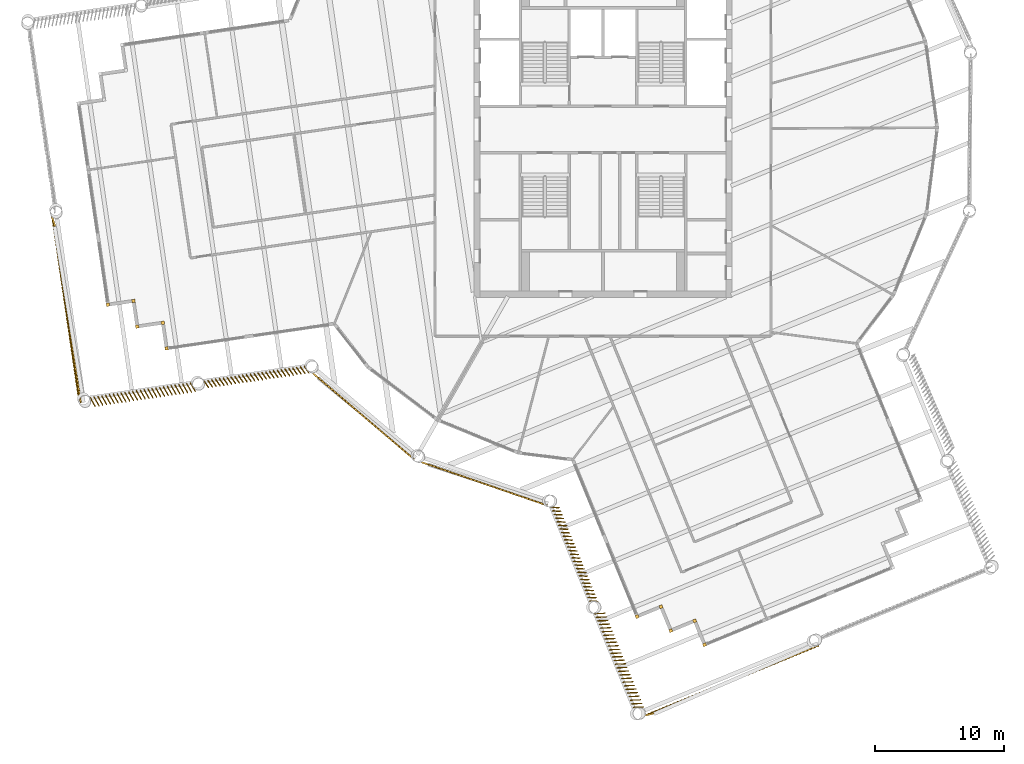
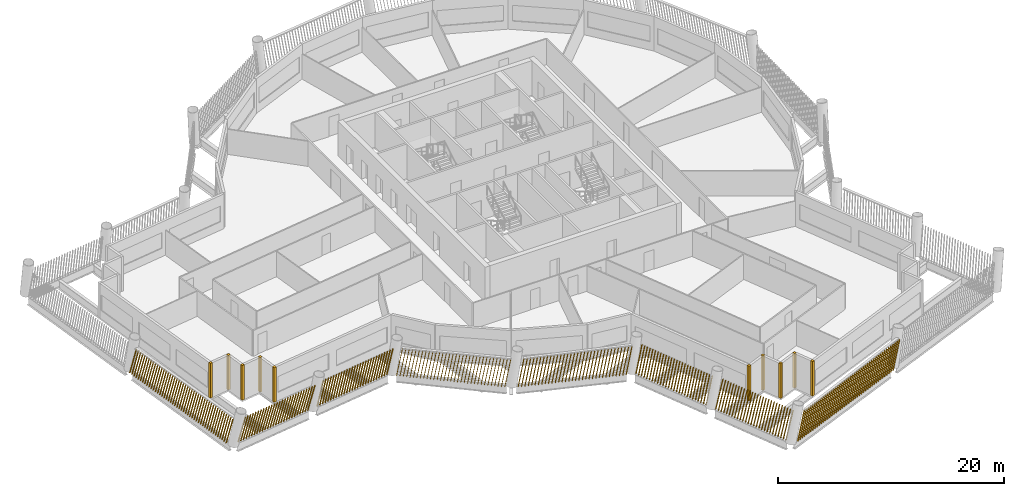
# One storey, part 11 of 15: 18 shading devices.
"""IFC4 building model written with IfcOpenShell, lengths in metres."""

from ifc_helpers import new_model, si_unit, direction, frame, frame_2d, origin, origin_2d, place, context, subcontext, project, spatial, rectangle, composite_profile, extrude, material, type_object, element, save


model = new_model("IFC4")

# Units and contexts
model_context = context("Model", 3, precision=1e-05, world=origin(), true_north=direction((0.0, 1.0)))
body_context = subcontext(model_context, "Body", "Model", "MODEL_VIEW")
ifc_project = project(units=[si_unit("LENGTHUNIT", "METRE"), si_unit("AREAUNIT", "SQUARE_METRE"), si_unit("VOLUMEUNIT", "CUBIC_METRE"), si_unit("PLANEANGLEUNIT", "RADIAN"), si_unit("MASSUNIT", "GRAM", prefix="KILO")], contexts=[model_context])

# Site, building, storey
site_placement = place(None, origin())
site = spatial("IfcSite", under=ifc_project, at=site_placement, CompositionType="ELEMENT")
building_placement = place(site_placement, origin())
building = spatial("IfcBuilding", under=site, at=building_placement, Name="Tarsis Ring Headquarters", CompositionType="ELEMENT")
storey_placement = place(building_placement, frame((0.0, 0.0, 319.699951171875)))
storey = spatial("IfcBuildingStorey", under=building, at=storey_placement, Name="L75", CompositionType="ELEMENT", Elevation=319.699951171875)

# Shading devices
ifc_material = material(Name="Terracotta baguette", Category="masonry")
shading_device_type_1 = type_object("IfcShadingDeviceType", Name="Terracotta baguette screen", PredefinedType="USERDEFINED", material=ifc_material)
shading_device_1_placement = place(storey_placement, frame((-14.03271484375, -25.7548828125, 0.0), z_axis=(0.0, 0.0, 1.0), x_axis=(0.945557665401, -0.325479712173, 0.0)))
element("IfcShadingDevice", 1, at=shading_device_1_placement, inside=storey, type_object=shading_device_type_1, Name="Baguette screen L75-00", ObjectType="Terracotta baguette screen", PredefinedType="USERDEFINED", context=body_context, shape_type="SweptSolid", body=[
    extrude(composite_profile([rectangle(XDim=0.06005859375, YDim=0.1201171875, at=frame_2d((0.030029296875, 0.0))), rectangle(XDim=0.06005859375, YDim=0.1201171875, at=frame_2d((0.33349609375, 0.0))), rectangle(XDim=0.06005859375, YDim=0.1201171875, at=frame_2d((0.636962890625, 0.0))), rectangle(XDim=0.06005859375, YDim=0.1201171875, at=frame_2d((0.9404296875, 0.0))), rectangle(XDim=0.06005859375, YDim=0.1201171875, at=frame_2d((1.243896484375, 0.0))), rectangle(XDim=0.06005859375, YDim=0.1201171875, at=frame_2d((1.54736328125, 0.0))), rectangle(XDim=0.06005859375, YDim=0.1201171875, at=frame_2d((1.850830078125, 0.0))), rectangle(XDim=0.06005859375, YDim=0.1201171875, at=frame_2d((2.154296875, 0.0))), rectangle(XDim=0.06005859375, YDim=0.1201171875, at=frame_2d((2.4580078125, 0.0))), rectangle(XDim=0.06005859375, YDim=0.1201171875, at=frame_2d((2.761474609375, 0.0))), rectangle(XDim=0.06005859375, YDim=0.1201171875, at=frame_2d((3.06494140625, 0.0))), rectangle(XDim=0.06005859375, YDim=0.1201171875, at=frame_2d((3.368408203125, 0.0))), rectangle(XDim=0.06005859375, YDim=0.1201171875, at=frame_2d((3.671875, 0.0))), rectangle(XDim=0.06005859375, YDim=0.1201171875, at=frame_2d((3.975341796875, 0.0))), rectangle(XDim=0.06005859375, YDim=0.1201171875, at=frame_2d((4.27880859375, 0.0))), rectangle(XDim=0.06005859375, YDim=0.1201171875, at=frame_2d((4.582275390625, 0.0))), rectangle(XDim=0.06005859375, YDim=0.1201171875, at=frame_2d((4.8857421875, 0.0))), rectangle(XDim=0.06005859375, YDim=0.1201171875, at=frame_2d((5.189208984375, 0.0))), rectangle(XDim=0.06005859375, YDim=0.1201171875, at=frame_2d((5.49267578125, 0.0))), rectangle(XDim=0.06005859375, YDim=0.1201171875, at=frame_2d((5.796142578125, 0.0))), rectangle(XDim=0.06005859375, YDim=0.1201171875, at=frame_2d((6.099609375, 0.0))), rectangle(XDim=0.06005859375, YDim=0.1201171875, at=frame_2d((6.403076171875, 0.0))), rectangle(XDim=0.06005859375, YDim=0.1201171875, at=frame_2d((6.70654296875, 0.0))), rectangle(XDim=0.06005859375, YDim=0.1201171875, at=frame_2d((7.010009765625, 0.0))), rectangle(XDim=0.06005859375, YDim=0.1201171875, at=frame_2d((7.3134765625, 0.0))), rectangle(XDim=0.06005859375, YDim=0.1201171875, at=frame_2d((7.6171875, 0.0))), rectangle(XDim=0.06005859375, YDim=0.1201171875, at=frame_2d((7.920654296875, 0.0))), rectangle(XDim=0.06005859375, YDim=0.1201171875, at=frame_2d((8.22412109375, 0.0))), rectangle(XDim=0.06005859375, YDim=0.1201171875, at=frame_2d((8.527587890625, 0.0))), rectangle(XDim=0.06005859375, YDim=0.1201171875, at=frame_2d((8.8310546875, 0.0))), rectangle(XDim=0.06005859375, YDim=0.1201171875, at=frame_2d((9.134521484375, 0.0))), rectangle(XDim=0.06005859375, YDim=0.1201171875, at=frame_2d((9.43798828125, 0.0))), rectangle(XDim=0.06005859375, YDim=0.1201171875, at=frame_2d((9.741455078125, 0.0)))]), origin(), (0.174167074082, 0.001578874657, 0.984714850838), 3.013916015625),
])
shading_device_2_placement = place(storey_placement, frame((-4.008544921875, -29.2060546875, 0.0), z_axis=(0.0, 0.0, 1.0), x_axis=(0.379788680178, -0.925080326248, 0.0)))
element("IfcShadingDevice", 2, at=shading_device_2_placement, inside=storey, type_object=shading_device_type_1, Name="Baguette screen L75-01", ObjectType="Terracotta baguette screen", PredefinedType="USERDEFINED", context=body_context, shape_type="SweptSolid", body=[
    extrude(composite_profile([rectangle(XDim=0.06005859375, YDim=0.1201171875, at=frame_2d((0.030029296875, 0.0))), rectangle(XDim=0.06005859375, YDim=0.1201171875, at=frame_2d((0.33154296875, 0.0))), rectangle(XDim=0.06005859375, YDim=0.1201171875, at=frame_2d((0.63330078125, 0.0))), rectangle(XDim=0.06005859375, YDim=0.1201171875, at=frame_2d((0.934814453125, 0.0))), rectangle(XDim=0.06005859375, YDim=0.1201171875, at=frame_2d((1.236572265625, 0.0))), rectangle(XDim=0.06005859375, YDim=0.1201171875, at=frame_2d((1.5380859375, 0.0))), rectangle(XDim=0.06005859375, YDim=0.1201171875, at=frame_2d((1.83984375, 0.0))), rectangle(XDim=0.06005859375, YDim=0.1201171875, at=frame_2d((2.141357421875, 0.0))), rectangle(XDim=0.06005859375, YDim=0.1201171875, at=frame_2d((2.443115234375, 0.0))), rectangle(XDim=0.06005859375, YDim=0.1201171875, at=frame_2d((2.74462890625, 0.0))), rectangle(XDim=0.06005859375, YDim=0.1201171875, at=frame_2d((3.04638671875, 0.0))), rectangle(XDim=0.06005859375, YDim=0.1201171875, at=frame_2d((3.347900390625, 0.0))), rectangle(XDim=0.06005859375, YDim=0.1201171875, at=frame_2d((3.649658203125, 0.0))), rectangle(XDim=0.06005859375, YDim=0.1201171875, at=frame_2d((3.951171875, 0.0))), rectangle(XDim=0.06005859375, YDim=0.1201171875, at=frame_2d((4.252685546875, 0.0))), rectangle(XDim=0.06005859375, YDim=0.1201171875, at=frame_2d((4.554443359375, 0.0))), rectangle(XDim=0.06005859375, YDim=0.1201171875, at=frame_2d((4.85595703125, 0.0))), rectangle(XDim=0.06005859375, YDim=0.1201171875, at=frame_2d((5.15771484375, 0.0))), rectangle(XDim=0.06005859375, YDim=0.1201171875, at=frame_2d((5.459228515625, 0.0))), rectangle(XDim=0.06005859375, YDim=0.1201171875, at=frame_2d((5.760986328125, 0.0))), rectangle(XDim=0.06005859375, YDim=0.1201171875, at=frame_2d((6.0625, 0.0))), rectangle(XDim=0.06005859375, YDim=0.1201171875, at=frame_2d((6.3642578125, 0.0))), rectangle(XDim=0.06005859375, YDim=0.1201171875, at=frame_2d((6.665771484375, 0.0))), rectangle(XDim=0.06005859375, YDim=0.1201171875, at=frame_2d((6.967529296875, 0.0))), rectangle(XDim=0.06005859375, YDim=0.1201171875, at=frame_2d((7.26904296875, 0.0))), rectangle(XDim=0.06005859375, YDim=0.1201171875, at=frame_2d((7.57080078125, 0.0))), rectangle(XDim=0.06005859375, YDim=0.1201171875, at=frame_2d((7.872314453125, 0.0)))]), origin(), (0.08712963653, 0.177346024773, 0.980284047578), 3.02734375),
])
shading_device_3_placement = place(storey_placement, frame((-0.627685546875, -37.44140625, 0.0), z_axis=(0.0, 0.0, 1.0), x_axis=(0.379800414002, -0.925078011555, 0.0)))
element("IfcShadingDevice", 3, at=shading_device_3_placement, inside=storey, type_object=shading_device_type_1, Name="Baguette screen L75-02", ObjectType="Terracotta baguette screen", PredefinedType="USERDEFINED", context=body_context, shape_type="SweptSolid", body=[
    extrude(composite_profile([rectangle(XDim=0.06005859375, YDim=0.1201171875, at=frame_2d((0.030029296875, 0.0))), rectangle(XDim=0.06005859375, YDim=0.1201171875, at=frame_2d((0.33154296875, 0.0))), rectangle(XDim=0.06005859375, YDim=0.1201171875, at=frame_2d((0.63330078125, 0.0))), rectangle(XDim=0.06005859375, YDim=0.1201171875, at=frame_2d((0.934814453125, 0.0))), rectangle(XDim=0.06005859375, YDim=0.1201171875, at=frame_2d((1.236572265625, 0.0))), rectangle(XDim=0.06005859375, YDim=0.1201171875, at=frame_2d((1.5380859375, 0.0))), rectangle(XDim=0.06005859375, YDim=0.1201171875, at=frame_2d((1.83984375, 0.0))), rectangle(XDim=0.06005859375, YDim=0.1201171875, at=frame_2d((2.141357421875, 0.0))), rectangle(XDim=0.06005859375, YDim=0.1201171875, at=frame_2d((2.443115234375, 0.0))), rectangle(XDim=0.06005859375, YDim=0.1201171875, at=frame_2d((2.74462890625, 0.0))), rectangle(XDim=0.06005859375, YDim=0.1201171875, at=frame_2d((3.04638671875, 0.0))), rectangle(XDim=0.06005859375, YDim=0.1201171875, at=frame_2d((3.347900390625, 0.0))), rectangle(XDim=0.06005859375, YDim=0.1201171875, at=frame_2d((3.649658203125, 0.0))), rectangle(XDim=0.06005859375, YDim=0.1201171875, at=frame_2d((3.951171875, 0.0))), rectangle(XDim=0.06005859375, YDim=0.1201171875, at=frame_2d((4.252685546875, 0.0))), rectangle(XDim=0.06005859375, YDim=0.1201171875, at=frame_2d((4.554443359375, 0.0))), rectangle(XDim=0.06005859375, YDim=0.1201171875, at=frame_2d((4.85595703125, 0.0))), rectangle(XDim=0.06005859375, YDim=0.1201171875, at=frame_2d((5.15771484375, 0.0))), rectangle(XDim=0.06005859375, YDim=0.1201171875, at=frame_2d((5.459228515625, 0.0))), rectangle(XDim=0.06005859375, YDim=0.1201171875, at=frame_2d((5.760986328125, 0.0))), rectangle(XDim=0.06005859375, YDim=0.1201171875, at=frame_2d((6.0625, 0.0))), rectangle(XDim=0.06005859375, YDim=0.1201171875, at=frame_2d((6.3642578125, 0.0))), rectangle(XDim=0.06005859375, YDim=0.1201171875, at=frame_2d((6.665771484375, 0.0))), rectangle(XDim=0.06005859375, YDim=0.1201171875, at=frame_2d((6.967529296875, 0.0))), rectangle(XDim=0.06005859375, YDim=0.1201171875, at=frame_2d((7.26904296875, 0.0))), rectangle(XDim=0.06005859375, YDim=0.1201171875, at=frame_2d((7.57080078125, 0.0))), rectangle(XDim=0.06005859375, YDim=0.1201171875, at=frame_2d((7.872314453125, 0.0)))]), origin(), (0.085723437575, 0.228254656912, 0.96982024306), 3.06005859375),
])
shading_device_4_placement = place(storey_placement, frame((3.16845703125, -45.37109375, 0.0), z_axis=(0.0, 0.0, 1.0), x_axis=(0.92507607388, 0.379785577808, 0.0)))
element("IfcShadingDevice", 4, at=shading_device_4_placement, inside=storey, type_object=shading_device_type_1, Name="Baguette screen L75-03", ObjectType="Terracotta baguette screen", PredefinedType="USERDEFINED", context=body_context, shape_type="SweptSolid", body=[
    extrude(composite_profile([rectangle(XDim=0.06005859375, YDim=0.1201171875, at=frame_2d((0.030029296875, 0.0))), rectangle(XDim=0.06005859375, YDim=0.1201171875, at=frame_2d((0.33544921875, 0.0))), rectangle(XDim=0.06005859375, YDim=0.1201171875, at=frame_2d((0.640625, 0.0))), rectangle(XDim=0.06005859375, YDim=0.1201171875, at=frame_2d((0.946044921875, 0.0))), rectangle(XDim=0.06005859375, YDim=0.1201171875, at=frame_2d((1.25146484375, 0.0))), rectangle(XDim=0.06005859375, YDim=0.1201171875, at=frame_2d((1.556640625, 0.0))), rectangle(XDim=0.06005859375, YDim=0.1201171875, at=frame_2d((1.862060546875, 0.0))), rectangle(XDim=0.06005859375, YDim=0.1201171875, at=frame_2d((2.16748046875, 0.0))), rectangle(XDim=0.06005859375, YDim=0.1201171875, at=frame_2d((2.47265625, 0.0))), rectangle(XDim=0.06005859375, YDim=0.1201171875, at=frame_2d((2.778076171875, 0.0))), rectangle(XDim=0.06005859375, YDim=0.1201171875, at=frame_2d((3.08349609375, 0.0))), rectangle(XDim=0.06005859375, YDim=0.1201171875, at=frame_2d((3.388671875, 0.0))), rectangle(XDim=0.06005859375, YDim=0.1201171875, at=frame_2d((3.694091796875, 0.0))), rectangle(XDim=0.06005859375, YDim=0.1201171875, at=frame_2d((3.99951171875, 0.0))), rectangle(XDim=0.06005859375, YDim=0.1201171875, at=frame_2d((4.3046875, 0.0))), rectangle(XDim=0.06005859375, YDim=0.1201171875, at=frame_2d((4.610107421875, 0.0))), rectangle(XDim=0.06005859375, YDim=0.1201171875, at=frame_2d((4.91552734375, 0.0))), rectangle(XDim=0.06005859375, YDim=0.1201171875, at=frame_2d((5.220703125, 0.0))), rectangle(XDim=0.06005859375, YDim=0.1201171875, at=frame_2d((5.526123046875, 0.0))), rectangle(XDim=0.06005859375, YDim=0.1201171875, at=frame_2d((5.83154296875, 0.0))), rectangle(XDim=0.06005859375, YDim=0.1201171875, at=frame_2d((6.13671875, 0.0))), rectangle(XDim=0.06005859375, YDim=0.1201171875, at=frame_2d((6.442138671875, 0.0))), rectangle(XDim=0.06005859375, YDim=0.1201171875, at=frame_2d((6.74755859375, 0.0))), rectangle(XDim=0.06005859375, YDim=0.1201171875, at=frame_2d((7.052734375, 0.0))), rectangle(XDim=0.06005859375, YDim=0.1201171875, at=frame_2d((7.358154296875, 0.0))), rectangle(XDim=0.06005859375, YDim=0.1201171875, at=frame_2d((7.66357421875, 0.0))), rectangle(XDim=0.06005859375, YDim=0.1201171875, at=frame_2d((7.96875, 0.0))), rectangle(XDim=0.06005859375, YDim=0.1201171875, at=frame_2d((8.274169921875, 0.0))), rectangle(XDim=0.06005859375, YDim=0.1201171875, at=frame_2d((8.57958984375, 0.0))), rectangle(XDim=0.06005859375, YDim=0.1201171875, at=frame_2d((8.884765625, 0.0))), rectangle(XDim=0.06005859375, YDim=0.1201171875, at=frame_2d((9.190185546875, 0.0))), rectangle(XDim=0.06005859375, YDim=0.1201171875, at=frame_2d((9.49560546875, 0.0))), rectangle(XDim=0.06005859375, YDim=0.1201171875, at=frame_2d((9.80078125, 0.0))), rectangle(XDim=0.06005859375, YDim=0.1201171875, at=frame_2d((10.106201171875, 0.0))), rectangle(XDim=0.06005859375, YDim=0.1201171875, at=frame_2d((10.41162109375, 0.0))), rectangle(XDim=0.06005859375, YDim=0.1201171875, at=frame_2d((10.716796875, 0.0))), rectangle(XDim=0.06005859375, YDim=0.1201171875, at=frame_2d((11.022216796875, 0.0))), rectangle(XDim=0.06005859375, YDim=0.1201171875, at=frame_2d((11.32763671875, 0.0))), rectangle(XDim=0.06005859375, YDim=0.1201171875, at=frame_2d((11.6328125, 0.0))), rectangle(XDim=0.06005859375, YDim=0.1201171875, at=frame_2d((11.938232421875, 0.0))), rectangle(XDim=0.06005859375, YDim=0.1201171875, at=frame_2d((12.24365234375, 0.0))), rectangle(XDim=0.06005859375, YDim=0.1201171875, at=frame_2d((12.548828125, 0.0))), rectangle(XDim=0.06005859375, YDim=0.1201171875, at=frame_2d((12.854248046875, 0.0))), rectangle(XDim=0.06005859375, YDim=0.1201171875, at=frame_2d((13.15966796875, 0.0))), rectangle(XDim=0.06005859375, YDim=0.1201171875, at=frame_2d((13.46484375, 0.0))), rectangle(XDim=0.06005859375, YDim=0.1201171875, at=frame_2d((13.770263671875, 0.0)))]), origin(), (0.255453248203, -0.041402428236, 0.965934509643), 3.072509765625),
])
shading_device_5_placement = place(storey_placement, frame((-42.648193359375, -6.7421875, 0.0), z_axis=(0.0, 0.0, 1.0), x_axis=(0.144697036709, -0.989473684211, 0.0)))
element("IfcShadingDevice", 5, at=shading_device_5_placement, inside=storey, type_object=shading_device_type_1, Name="Baguette screen L75-18", ObjectType="Terracotta baguette screen", PredefinedType="USERDEFINED", context=body_context, shape_type="SweptSolid", body=[
    extrude(composite_profile([rectangle(XDim=0.06005859375, YDim=0.1201171875, at=frame_2d((0.030029296875, 0.0))), rectangle(XDim=0.06005859375, YDim=0.1201171875, at=frame_2d((0.33544921875, 0.0))), rectangle(XDim=0.06005859375, YDim=0.1201171875, at=frame_2d((0.640625, 0.0))), rectangle(XDim=0.06005859375, YDim=0.1201171875, at=frame_2d((0.946044921875, 0.0))), rectangle(XDim=0.06005859375, YDim=0.1201171875, at=frame_2d((1.25146484375, 0.0))), rectangle(XDim=0.06005859375, YDim=0.1201171875, at=frame_2d((1.556640625, 0.0))), rectangle(XDim=0.06005859375, YDim=0.1201171875, at=frame_2d((1.862060546875, 0.0))), rectangle(XDim=0.06005859375, YDim=0.1201171875, at=frame_2d((2.16748046875, 0.0))), rectangle(XDim=0.06005859375, YDim=0.1201171875, at=frame_2d((2.47265625, 0.0))), rectangle(XDim=0.06005859375, YDim=0.1201171875, at=frame_2d((2.778076171875, 0.0))), rectangle(XDim=0.06005859375, YDim=0.1201171875, at=frame_2d((3.08349609375, 0.0))), rectangle(XDim=0.06005859375, YDim=0.1201171875, at=frame_2d((3.388671875, 0.0))), rectangle(XDim=0.06005859375, YDim=0.1201171875, at=frame_2d((3.694091796875, 0.0))), rectangle(XDim=0.06005859375, YDim=0.1201171875, at=frame_2d((3.99951171875, 0.0))), rectangle(XDim=0.06005859375, YDim=0.1201171875, at=frame_2d((4.3046875, 0.0))), rectangle(XDim=0.06005859375, YDim=0.1201171875, at=frame_2d((4.610107421875, 0.0))), rectangle(XDim=0.06005859375, YDim=0.1201171875, at=frame_2d((4.91552734375, 0.0))), rectangle(XDim=0.06005859375, YDim=0.1201171875, at=frame_2d((5.220703125, 0.0))), rectangle(XDim=0.06005859375, YDim=0.1201171875, at=frame_2d((5.526123046875, 0.0))), rectangle(XDim=0.06005859375, YDim=0.1201171875, at=frame_2d((5.83154296875, 0.0))), rectangle(XDim=0.06005859375, YDim=0.1201171875, at=frame_2d((6.13671875, 0.0))), rectangle(XDim=0.06005859375, YDim=0.1201171875, at=frame_2d((6.442138671875, 0.0))), rectangle(XDim=0.06005859375, YDim=0.1201171875, at=frame_2d((6.74755859375, 0.0))), rectangle(XDim=0.06005859375, YDim=0.1201171875, at=frame_2d((7.052734375, 0.0))), rectangle(XDim=0.06005859375, YDim=0.1201171875, at=frame_2d((7.358154296875, 0.0))), rectangle(XDim=0.06005859375, YDim=0.1201171875, at=frame_2d((7.66357421875, 0.0))), rectangle(XDim=0.06005859375, YDim=0.1201171875, at=frame_2d((7.96875, 0.0))), rectangle(XDim=0.06005859375, YDim=0.1201171875, at=frame_2d((8.274169921875, 0.0))), rectangle(XDim=0.06005859375, YDim=0.1201171875, at=frame_2d((8.57958984375, 0.0))), rectangle(XDim=0.06005859375, YDim=0.1201171875, at=frame_2d((8.884765625, 0.0))), rectangle(XDim=0.06005859375, YDim=0.1201171875, at=frame_2d((9.190185546875, 0.0))), rectangle(XDim=0.06005859375, YDim=0.1201171875, at=frame_2d((9.49560546875, 0.0))), rectangle(XDim=0.06005859375, YDim=0.1201171875, at=frame_2d((9.80078125, 0.0))), rectangle(XDim=0.06005859375, YDim=0.1201171875, at=frame_2d((10.106201171875, 0.0))), rectangle(XDim=0.06005859375, YDim=0.1201171875, at=frame_2d((10.41162109375, 0.0))), rectangle(XDim=0.06005859375, YDim=0.1201171875, at=frame_2d((10.716796875, 0.0))), rectangle(XDim=0.06005859375, YDim=0.1201171875, at=frame_2d((11.022216796875, 0.0))), rectangle(XDim=0.06005859375, YDim=0.1201171875, at=frame_2d((11.32763671875, 0.0))), rectangle(XDim=0.06005859375, YDim=0.1201171875, at=frame_2d((11.6328125, 0.0))), rectangle(XDim=0.06005859375, YDim=0.1201171875, at=frame_2d((11.938232421875, 0.0))), rectangle(XDim=0.06005859375, YDim=0.1201171875, at=frame_2d((12.24365234375, 0.0))), rectangle(XDim=0.06005859375, YDim=0.1201171875, at=frame_2d((12.548828125, 0.0))), rectangle(XDim=0.06005859375, YDim=0.1201171875, at=frame_2d((12.854248046875, 0.0))), rectangle(XDim=0.06005859375, YDim=0.1201171875, at=frame_2d((13.15966796875, 0.0))), rectangle(XDim=0.06005859375, YDim=0.1201171875, at=frame_2d((13.46484375, 0.0))), rectangle(XDim=0.06005859375, YDim=0.1201171875, at=frame_2d((13.770263671875, 0.0)))]), origin(), (0.254658736532, 0.046031313464, 0.965934804264), 3.072509765625),
])
shading_device_6_placement = place(storey_placement, frame((-39.713134765625, -20.76513671875, 0.0), z_axis=(0.0, 0.0, 1.0), x_axis=(0.989464903609, 0.144710825507, 0.0)))
element("IfcShadingDevice", 6, at=shading_device_6_placement, inside=storey, type_object=shading_device_type_1, Name="Baguette screen L75-19", ObjectType="Terracotta baguette screen", PredefinedType="USERDEFINED", context=body_context, shape_type="SweptSolid", body=[
    extrude(composite_profile([rectangle(XDim=0.06005859375, YDim=0.1201171875, at=frame_2d((0.030029296875, 0.0))), rectangle(XDim=0.06005859375, YDim=0.1201171875, at=frame_2d((0.33154296875, 0.0))), rectangle(XDim=0.06005859375, YDim=0.1201171875, at=frame_2d((0.63330078125, 0.0))), rectangle(XDim=0.06005859375, YDim=0.1201171875, at=frame_2d((0.934814453125, 0.0))), rectangle(XDim=0.06005859375, YDim=0.1201171875, at=frame_2d((1.236572265625, 0.0))), rectangle(XDim=0.06005859375, YDim=0.1201171875, at=frame_2d((1.5380859375, 0.0))), rectangle(XDim=0.06005859375, YDim=0.1201171875, at=frame_2d((1.83984375, 0.0))), rectangle(XDim=0.06005859375, YDim=0.1201171875, at=frame_2d((2.141357421875, 0.0))), rectangle(XDim=0.06005859375, YDim=0.1201171875, at=frame_2d((2.443115234375, 0.0))), rectangle(XDim=0.06005859375, YDim=0.1201171875, at=frame_2d((2.74462890625, 0.0))), rectangle(XDim=0.06005859375, YDim=0.1201171875, at=frame_2d((3.04638671875, 0.0))), rectangle(XDim=0.06005859375, YDim=0.1201171875, at=frame_2d((3.347900390625, 0.0))), rectangle(XDim=0.06005859375, YDim=0.1201171875, at=frame_2d((3.649658203125, 0.0))), rectangle(XDim=0.06005859375, YDim=0.1201171875, at=frame_2d((3.951171875, 0.0))), rectangle(XDim=0.06005859375, YDim=0.1201171875, at=frame_2d((4.252685546875, 0.0))), rectangle(XDim=0.06005859375, YDim=0.1201171875, at=frame_2d((4.554443359375, 0.0))), rectangle(XDim=0.06005859375, YDim=0.1201171875, at=frame_2d((4.85595703125, 0.0))), rectangle(XDim=0.06005859375, YDim=0.1201171875, at=frame_2d((5.15771484375, 0.0))), rectangle(XDim=0.06005859375, YDim=0.1201171875, at=frame_2d((5.459228515625, 0.0))), rectangle(XDim=0.06005859375, YDim=0.1201171875, at=frame_2d((5.760986328125, 0.0))), rectangle(XDim=0.06005859375, YDim=0.1201171875, at=frame_2d((6.0625, 0.0))), rectangle(XDim=0.06005859375, YDim=0.1201171875, at=frame_2d((6.3642578125, 0.0))), rectangle(XDim=0.06005859375, YDim=0.1201171875, at=frame_2d((6.665771484375, 0.0))), rectangle(XDim=0.06005859375, YDim=0.1201171875, at=frame_2d((6.967529296875, 0.0))), rectangle(XDim=0.06005859375, YDim=0.1201171875, at=frame_2d((7.26904296875, 0.0))), rectangle(XDim=0.06005859375, YDim=0.1201171875, at=frame_2d((7.57080078125, 0.0))), rectangle(XDim=0.06005859375, YDim=0.1201171875, at=frame_2d((7.872314453125, 0.0)))]), origin(), (0.089843827591, -0.226659906545, 0.969821310041), 3.06005859375),
])
shading_device_7_placement = place(storey_placement, frame((-30.90478515625, -19.47705078125, 0.0), z_axis=(0.0, 0.0, 1.0), x_axis=(0.989464903609, 0.144710825507, 0.0)))
element("IfcShadingDevice", 7, at=shading_device_7_placement, inside=storey, type_object=shading_device_type_1, Name="Baguette screen L75-20", ObjectType="Terracotta baguette screen", PredefinedType="USERDEFINED", context=body_context, shape_type="SweptSolid", body=[
    extrude(composite_profile([rectangle(XDim=0.06005859375, YDim=0.1201171875, at=frame_2d((0.030029296875, 0.0))), rectangle(XDim=0.06005859375, YDim=0.1201171875, at=frame_2d((0.33154296875, 0.0))), rectangle(XDim=0.06005859375, YDim=0.1201171875, at=frame_2d((0.63330078125, 0.0))), rectangle(XDim=0.06005859375, YDim=0.1201171875, at=frame_2d((0.934814453125, 0.0))), rectangle(XDim=0.06005859375, YDim=0.1201171875, at=frame_2d((1.236572265625, 0.0))), rectangle(XDim=0.06005859375, YDim=0.1201171875, at=frame_2d((1.5380859375, 0.0))), rectangle(XDim=0.06005859375, YDim=0.1201171875, at=frame_2d((1.83984375, 0.0))), rectangle(XDim=0.06005859375, YDim=0.1201171875, at=frame_2d((2.141357421875, 0.0))), rectangle(XDim=0.06005859375, YDim=0.1201171875, at=frame_2d((2.443115234375, 0.0))), rectangle(XDim=0.06005859375, YDim=0.1201171875, at=frame_2d((2.74462890625, 0.0))), rectangle(XDim=0.06005859375, YDim=0.1201171875, at=frame_2d((3.04638671875, 0.0))), rectangle(XDim=0.06005859375, YDim=0.1201171875, at=frame_2d((3.347900390625, 0.0))), rectangle(XDim=0.06005859375, YDim=0.1201171875, at=frame_2d((3.649658203125, 0.0))), rectangle(XDim=0.06005859375, YDim=0.1201171875, at=frame_2d((3.951171875, 0.0))), rectangle(XDim=0.06005859375, YDim=0.1201171875, at=frame_2d((4.252685546875, 0.0))), rectangle(XDim=0.06005859375, YDim=0.1201171875, at=frame_2d((4.554443359375, 0.0))), rectangle(XDim=0.06005859375, YDim=0.1201171875, at=frame_2d((4.85595703125, 0.0))), rectangle(XDim=0.06005859375, YDim=0.1201171875, at=frame_2d((5.15771484375, 0.0))), rectangle(XDim=0.06005859375, YDim=0.1201171875, at=frame_2d((5.459228515625, 0.0))), rectangle(XDim=0.06005859375, YDim=0.1201171875, at=frame_2d((5.760986328125, 0.0))), rectangle(XDim=0.06005859375, YDim=0.1201171875, at=frame_2d((6.0625, 0.0))), rectangle(XDim=0.06005859375, YDim=0.1201171875, at=frame_2d((6.3642578125, 0.0))), rectangle(XDim=0.06005859375, YDim=0.1201171875, at=frame_2d((6.665771484375, 0.0))), rectangle(XDim=0.06005859375, YDim=0.1201171875, at=frame_2d((6.967529296875, 0.0))), rectangle(XDim=0.06005859375, YDim=0.1201171875, at=frame_2d((7.26904296875, 0.0))), rectangle(XDim=0.06005859375, YDim=0.1201171875, at=frame_2d((7.57080078125, 0.0))), rectangle(XDim=0.06005859375, YDim=0.1201171875, at=frame_2d((7.872314453125, 0.0)))]), origin(), (0.090329618085, -0.175734457307, 0.980284632447), 3.02734375),
])
shading_device_8_placement = place(storey_placement, frame((-22.452880859375, -18.87060546875, 0.0), z_axis=(0.0, 0.0, 1.0), x_axis=(0.761929745665, -0.647654024884, 0.0)))
element("IfcShadingDevice", 8, at=shading_device_8_placement, inside=storey, type_object=shading_device_type_1, Name="Baguette screen L75-21", ObjectType="Terracotta baguette screen", PredefinedType="USERDEFINED", context=body_context, shape_type="SweptSolid", body=[
    extrude(composite_profile([rectangle(XDim=0.06005859375, YDim=0.1201171875, at=frame_2d((0.030029296875, 0.0))), rectangle(XDim=0.06005859375, YDim=0.1201171875, at=frame_2d((0.33349609375, 0.0))), rectangle(XDim=0.06005859375, YDim=0.1201171875, at=frame_2d((0.636962890625, 0.0))), rectangle(XDim=0.06005859375, YDim=0.1201171875, at=frame_2d((0.9404296875, 0.0))), rectangle(XDim=0.06005859375, YDim=0.1201171875, at=frame_2d((1.243896484375, 0.0))), rectangle(XDim=0.06005859375, YDim=0.1201171875, at=frame_2d((1.54736328125, 0.0))), rectangle(XDim=0.06005859375, YDim=0.1201171875, at=frame_2d((1.85107421875, 0.0))), rectangle(XDim=0.06005859375, YDim=0.1201171875, at=frame_2d((2.154541015625, 0.0))), rectangle(XDim=0.06005859375, YDim=0.1201171875, at=frame_2d((2.4580078125, 0.0))), rectangle(XDim=0.06005859375, YDim=0.1201171875, at=frame_2d((2.761474609375, 0.0))), rectangle(XDim=0.06005859375, YDim=0.1201171875, at=frame_2d((3.06494140625, 0.0))), rectangle(XDim=0.06005859375, YDim=0.1201171875, at=frame_2d((3.368408203125, 0.0))), rectangle(XDim=0.06005859375, YDim=0.1201171875, at=frame_2d((3.671875, 0.0))), rectangle(XDim=0.06005859375, YDim=0.1201171875, at=frame_2d((3.975341796875, 0.0))), rectangle(XDim=0.06005859375, YDim=0.1201171875, at=frame_2d((4.27880859375, 0.0))), rectangle(XDim=0.06005859375, YDim=0.1201171875, at=frame_2d((4.582275390625, 0.0))), rectangle(XDim=0.06005859375, YDim=0.1201171875, at=frame_2d((4.8857421875, 0.0))), rectangle(XDim=0.06005859375, YDim=0.1201171875, at=frame_2d((5.189453125, 0.0))), rectangle(XDim=0.06005859375, YDim=0.1201171875, at=frame_2d((5.492919921875, 0.0))), rectangle(XDim=0.06005859375, YDim=0.1201171875, at=frame_2d((5.79638671875, 0.0))), rectangle(XDim=0.06005859375, YDim=0.1201171875, at=frame_2d((6.099853515625, 0.0))), rectangle(XDim=0.06005859375, YDim=0.1201171875, at=frame_2d((6.4033203125, 0.0))), rectangle(XDim=0.06005859375, YDim=0.1201171875, at=frame_2d((6.706787109375, 0.0))), rectangle(XDim=0.06005859375, YDim=0.1201171875, at=frame_2d((7.01025390625, 0.0))), rectangle(XDim=0.06005859375, YDim=0.1201171875, at=frame_2d((7.313720703125, 0.0))), rectangle(XDim=0.06005859375, YDim=0.1201171875, at=frame_2d((7.6171875, 0.0))), rectangle(XDim=0.06005859375, YDim=0.1201171875, at=frame_2d((7.920654296875, 0.0))), rectangle(XDim=0.06005859375, YDim=0.1201171875, at=frame_2d((8.224365234375, 0.0))), rectangle(XDim=0.06005859375, YDim=0.1201171875, at=frame_2d((8.52783203125, 0.0))), rectangle(XDim=0.06005859375, YDim=0.1201171875, at=frame_2d((8.831298828125, 0.0))), rectangle(XDim=0.06005859375, YDim=0.1201171875, at=frame_2d((9.134765625, 0.0))), rectangle(XDim=0.06005859375, YDim=0.1201171875, at=frame_2d((9.438232421875, 0.0))), rectangle(XDim=0.06005859375, YDim=0.1201171875, at=frame_2d((9.74169921875, 0.0)))]), origin(), (0.174165261084, 0.001581232154, 0.984715167719), 3.013916015625),
])
shading_device_type_2 = type_object("IfcShadingDeviceType", Name="Terracotta corner baguette 250x250", PredefinedType="USERDEFINED", material=ifc_material)
for number, where, z_axis, x_axis, name in (
    (9, (-33.779052734375, -16.941162109375, 0.0), (0.0, 0.0, 1.0), (0.144701550052, -0.989475346541, 0.0), "Corner baguette L75-01"),
    (10, (2.639404296875, -37.697021484375, 0.0), (0.0, 0.0, 1.0), (0.379779143959, -0.925077186949, 0.0), "Corner baguette L75-07"),
    (11, (4.489501953125, -36.9375, 0.0), (0.0, 0.0, 1.0), (0.925077385801, 0.379778659589, 0.0), "Corner baguette L75-08"),
    (12, (5.2490234375, -38.78759765625, 0.0), (0.0, 0.0, 1.0), (0.379779079376, -0.925077213463, 0.0), "Corner baguette L75-09"),
    (13, (7.09912109375, -38.028076171875, 0.0), (0.0, 0.0, 1.0), (0.925077279747, 0.37977891792, 0.0), "Corner baguette L75-10"),
    (14, (7.858642578125, -39.878173828125, 0.0), (0.0, 0.0, 1.0), (0.379779079376, -0.925077213463, 0.0), "Corner baguette L75-11"),
    (15, (-38.31591796875, -13.56201171875, 0.0), (0.0, 0.0, 1.0), (0.14470161913, -0.989475336439, 0.0), "Corner baguette L75-37"),
    (16, (-36.3369140625, -13.272705078125, 0.0), (0.0, 0.0, 1.0), (0.989475275826, 0.1447020336, 0.0), "Corner baguette L75-38"),
    (17, (-36.04736328125, -15.251708984375, 0.0), (0.0, 0.0, 1.0), (0.144701411895, -0.989475366745, 0.0), "Corner baguette L75-39"),
    (18, (-34.068603515625, -14.962158203125, 0.0), (0.0, 0.0, 1.0), (0.989475356643, 0.144701480973, 0.0), "Corner baguette L75-40"),
):
    element("IfcShadingDevice", number, at=place(storey_placement, frame(where, z_axis=z_axis, x_axis=x_axis)), inside=storey, type_object=shading_device_type_2, Name=name, ObjectType="Terracotta corner baguette", PredefinedType="USERDEFINED", context=body_context, shape_type="SweptSolid", body=[
        extrude(rectangle(XDim=0.25, YDim=0.25, at=origin_2d()), origin(), (0.0, 0.0, 1.0), 3.739990234375),
    ])

save(model, "model.ifc")
